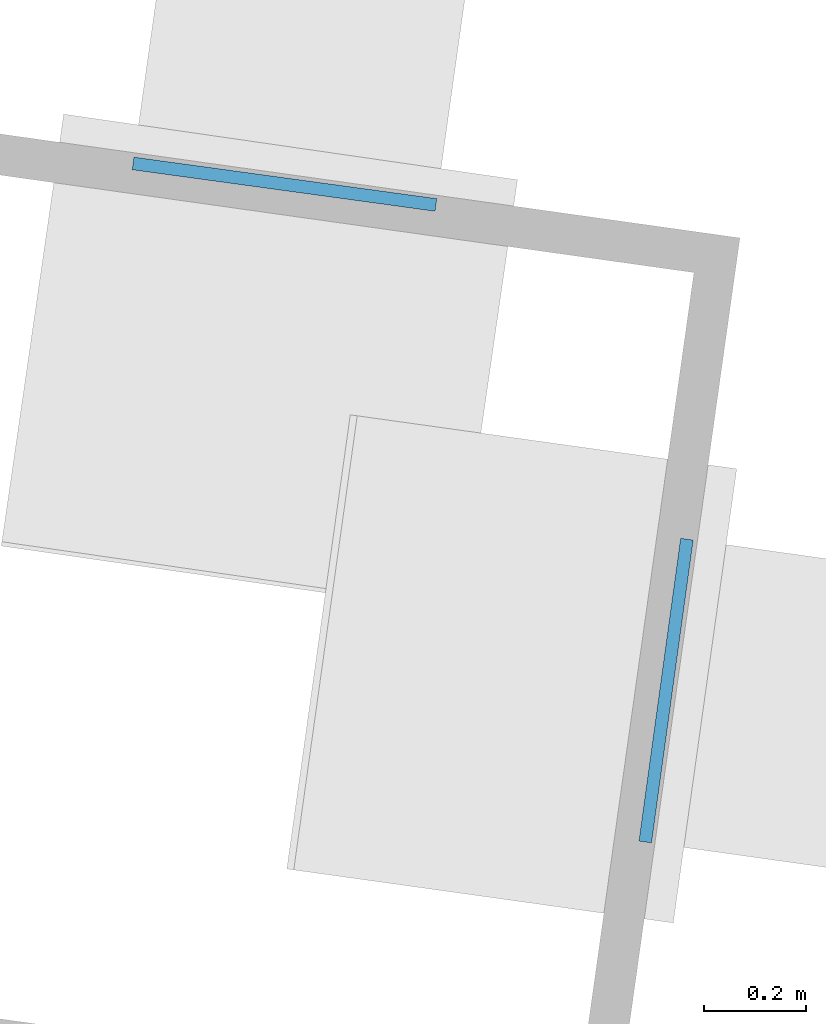
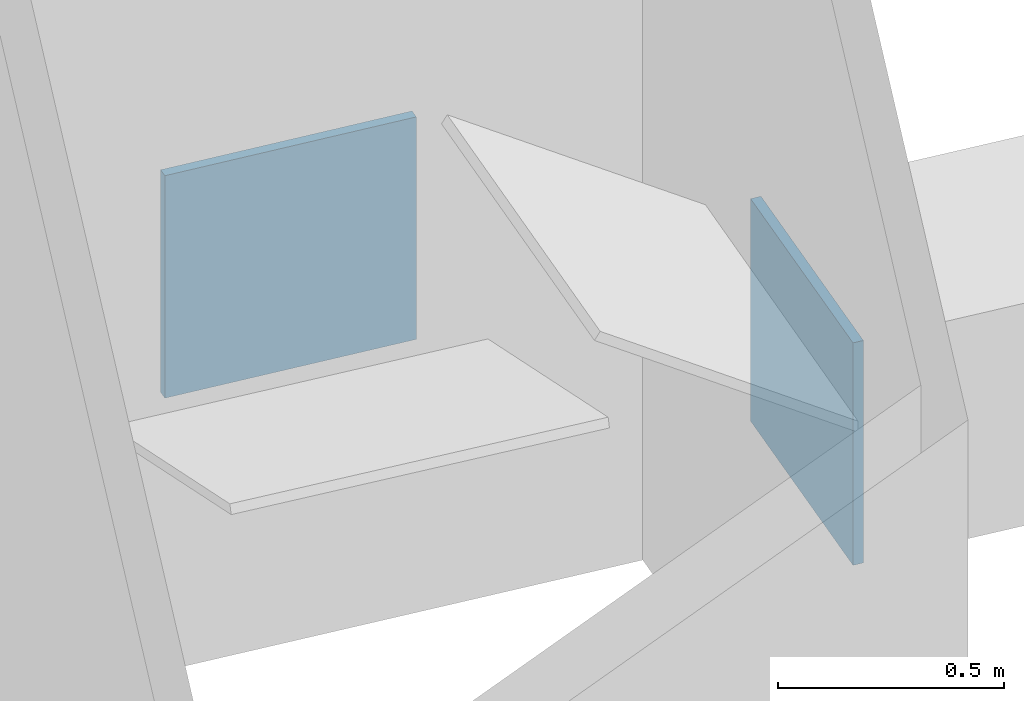
# One storey, part 40 of 46: 2 discrete accessories.
"""IFC4 building model written with IfcOpenShell, lengths in metres."""

from ifc_helpers import new_model, si_unit, direction, frame, origin, origin_2d, place, context, subcontext, project, spatial, rectangle, extrude, material, material_profile, profile_set, type_object, element, save


model = new_model("IFC4")

# Units and contexts
model_context = context("Model", 3, precision=1e-05, world=origin(), true_north=direction((0.0, 1.0)))
body_context = subcontext(model_context, "Body", "Model", "MODEL_VIEW")
ifc_project = project(units=[si_unit("LENGTHUNIT", "METRE"), si_unit("AREAUNIT", "SQUARE_METRE"), si_unit("VOLUMEUNIT", "CUBIC_METRE"), si_unit("PLANEANGLEUNIT", "RADIAN"), si_unit("MASSUNIT", "GRAM", prefix="KILO")], contexts=[model_context])

# Site, building, storey
site_placement = place(None, origin())
site = spatial("IfcSite", under=ifc_project, at=site_placement, CompositionType="ELEMENT")
building_placement = place(site_placement, origin())
building = spatial("IfcBuilding", under=site, at=building_placement, Name="Mirante Cascada Hotel Towers", CompositionType="ELEMENT")
storey_placement = place(building_placement, frame((0.0, 0.0, 39.5)))
storey = spatial("IfcBuildingStorey", under=building, at=storey_placement, Name="L06", CompositionType="ELEMENT", Elevation=39.5)

# Discrete accessories
ifc_material = material(Name="Steel ASTM A572 Gr 50", Category="steel")
ifc_material_profile = material_profile(ifc_material, rectangle(XDim=0.6, YDim=0.6, at=origin_2d()), Name="Connection plate 600x600x25 ASTM A572 Gr 50")
ifc_profile_set = profile_set([ifc_material_profile], Name="Steel ASTM A572 Gr 50")
discrete_accessory_type = type_object("IfcDiscreteAccessoryType", Name="Connection plate 600x600x25 ASTM A572 Gr 50", PredefinedType="BRACKET", material=ifc_profile_set)
discrete_accessory_1_placement = place(storey_placement, frame((-105.3187, -12.621, 1.0), z_axis=(-0.9906585, 0.136366, 0.0), x_axis=(-0.136366, -0.9906585, 0.0)))
element("IfcDiscreteAccessory", 1, at=discrete_accessory_1_placement, inside=storey, type_object=discrete_accessory_type, Name="Connection plate NCH", PredefinedType="BRACKET", context=body_context, shape_type="SweptSolid", body=[
    extrude(rectangle(XDim=0.6, YDim=0.6, at=origin_2d()), origin(), (0.0, 0.0, 1.0), 0.0249),
])
discrete_accessory_2_placement = place(storey_placement, frame((-106.0817, -11.6378, 1.0), z_axis=(0.1358263, 0.9907327, 0.0), x_axis=(-0.9907327, 0.1358263, 0.0)))
element("IfcDiscreteAccessory", 2, at=discrete_accessory_2_placement, inside=storey, type_object=discrete_accessory_type, Name="Connection plate NCH", PredefinedType="BRACKET", context=body_context, shape_type="SweptSolid", body=[
    extrude(rectangle(XDim=0.6, YDim=0.6, at=origin_2d()), origin(), (0.0, 0.0, 1.0), 0.025),
])

save(model, "model.ifc")
